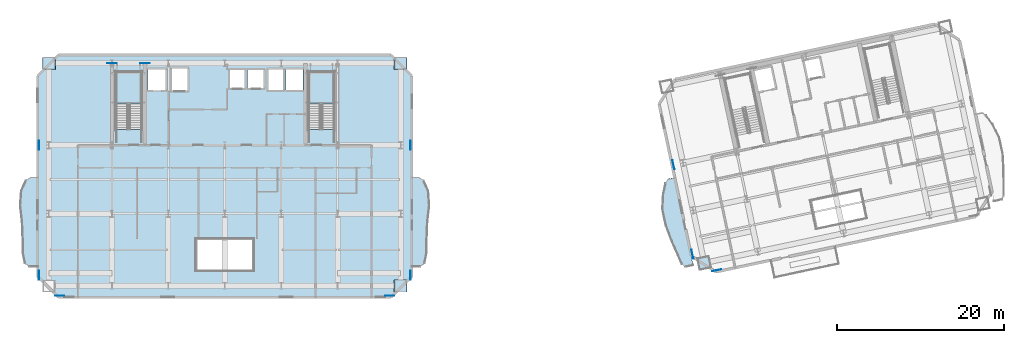
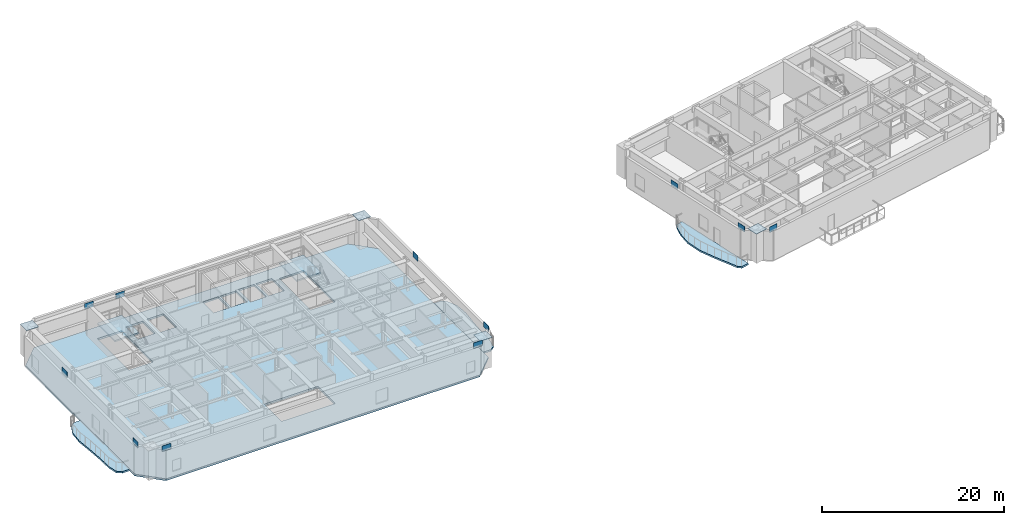
# One storey, part 5 of 15: 15 plates, 6 slabs, 2 elements without a shape of their own.
"""IFC4 building model written with IfcOpenShell, lengths in metres."""

from ifc_helpers import new_model, si_unit, direction, frame, origin, origin_2d, place, context, subcontext, project, spatial, polyline, rectangle, outline, extrude, material, layer, layer_set, type_object, element, aggregate, save


model = new_model("IFC4")

# Units and contexts
model_context = context("Model", 3, precision=1e-05, world=origin(), true_north=direction((0.0, 1.0)))
body_context = subcontext(model_context, "Body", "Model", "MODEL_VIEW")
ifc_project = project(units=[si_unit("LENGTHUNIT", "METRE"), si_unit("AREAUNIT", "SQUARE_METRE"), si_unit("VOLUMEUNIT", "CUBIC_METRE"), si_unit("PLANEANGLEUNIT", "RADIAN"), si_unit("MASSUNIT", "GRAM", prefix="KILO")], contexts=[model_context])

# Site, building, storey
site_placement = place(None, origin())
site = spatial("IfcSite", under=ifc_project, at=site_placement, CompositionType="ELEMENT")
building_placement = place(site_placement, origin())
building = spatial("IfcBuilding", under=site, at=building_placement, Name="Haevon Station Towers", CompositionType="ELEMENT")
storey_placement = place(building_placement, frame((0.0, 0.0, 129.60009765625)))
storey = spatial("IfcBuildingStorey", under=building, at=storey_placement, Name="L35", CompositionType="ELEMENT", Elevation=129.60009765625)

# Plates
ifc_material_1 = material(Name="PL-FLG1", Category="steel")
ifc_layer_1 = layer(ifc_material_1, 0.044921875)
ifc_layer_set_1 = layer_set([ifc_layer_1], Name="PL-FLG1")
plate_type_1 = type_object("IfcPlateType", Name="PL-FLG1", PredefinedType="USERDEFINED", material=ifc_layer_set_1)
for number, where, z_axis, x_axis, name in (
    (1, (16.449951171875, 48.0, 3.949951171875), (0.0, 0.0, 1.0), (1.0, 0.0, 0.0), "PL-CAP-T1-L35-01-04"),
    (2, (58.550048828125, 21.35009765625, 3.949951171875), (0.0, 0.0, 1.0), (1.0, 0.0, 0.0), "PL-CAP-T1-L35-07-01"),
    (3, (58.550048828125, 48.0, 3.949951171875), (0.0, 0.0, 1.0), (1.0, 0.0, 0.0), "PL-CAP-T1-L35-07-04"),
    (4, (94.892333984375, 24.098388671875, 3.949951171875), (0.0, 0.0, 1.0), (0.978147600734, 0.207911690818, 0.0), "PL-CAP-T2-L35-01-01"),
):
    element("IfcPlate", number, at=place(storey_placement, frame(where, z_axis=z_axis, x_axis=x_axis)), inside=storey, type_object=plate_type_1, Name=name, ObjectType="FLANGE_PLATE", PredefinedType="USERDEFINED", context=body_context, shape_type="SweptSolid", body=[
        extrude(rectangle(XDim=1.5400390625, YDim=1.43994140625, at=origin_2d()), origin(), (0.0, 0.0, 1.0), 0.0400390625),
    ])
ifc_material_2 = material(Name="PL-SPL1", Category="steel")
ifc_layer_2 = layer(ifc_material_2, 0.031982421875)
ifc_layer_set_2 = layer_set([ifc_layer_2], Name="PL-SPL1")
plate_type_2 = type_object("IfcPlateType", Name="PL-SPL1", PredefinedType="USERDEFINED", material=ifc_layer_set_2)
for number, where, z_axis, x_axis, name in (
    (5, (17.75, 20.179931640625, 3.6748046875), (0.0, 0.0, 1.0), (1.0, 0.0, 0.0), "PL-T1SPL-T04-S-3"),
    (6, (57.25, 20.179931640625, 3.6748046875), (0.0, 0.0, 1.0), (1.0, 0.0, 0.0), "PL-T1SPL-T04-S-4"),
    (7, (24.0, 48.0, 3.6748046875), (0.0, 0.0, 1.0), (1.0, 0.0, 0.0), "PL-T1SPL-T04-N-3"),
    (8, (27.949951171875, 48.0, 3.6748046875), (0.0, 0.0, 1.0), (1.0, 0.0, 0.0), "PL-T1SPL-T04-N-4"),
    (9, (15.280029296875, 22.64990234375, 3.6748046875), (0.0, 0.0, 1.0), (0.0, 1.0, 0.0), "PL-T1SPL-T04-W-3"),
    (10, (15.280029296875, 38.199951171875, 3.6748046875), (0.0, 0.0, 1.0), (0.0, 1.0, 0.0), "PL-T1SPL-T04-W-4"),
    (11, (59.719970703125, 22.64990234375, 3.6748046875), (0.0, 0.0, 1.0), (0.0, 1.0, 0.0), "PL-T1SPL-T04-E-3"),
    (12, (59.719970703125, 38.199951171875, 3.6748046875), (0.0, 0.0, 1.0), (0.0, 1.0, 0.0), "PL-T1SPL-T04-E-4"),
    (13, (96.4072265625, 23.22412109375, 3.6748046875), (0.0, 0.0, 1.0), (0.978147600734, 0.207911690818, 0.0), "PL-T2SPL-T04-S-3"),
    (14, (93.477783203125, 25.126708984375, 3.6748046875), (0.0, 0.0, 1.0), (-0.207911690818, 0.978147600734, 0.0), "PL-T2SPL-T04-W-3"),
    (15, (91.201171875, 35.83740234375, 3.6748046875), (0.0, 0.0, 1.0), (-0.207911690818, 0.978147600734, 0.0), "PL-T2SPL-T04-W-4"),
):
    element("IfcPlate", number, at=place(storey_placement, frame(where, z_axis=z_axis, x_axis=x_axis)), inside=storey, type_object=plate_type_2, Name=name, ObjectType="SPLICE_PLATE", PredefinedType="USERDEFINED", context=body_context, shape_type="SweptSolid", body=[
        extrude(rectangle(XDim=1.10009765625, YDim=0.031982421875, at=origin_2d()), origin(), (0.0, 0.0, 1.0), 0.75),
    ])

# Slabs
ifc_material_3 = material(Name="Concrete C40/50", Category="concrete")
ifc_layer_3 = layer(ifc_material_3, 0.219970703125)
ifc_layer_set_3 = layer_set([ifc_layer_3], Name="Concrete C40/50")
slab_type_1 = type_object("IfcSlabType", Name="SL-BALC220", PredefinedType="FLOOR", material=ifc_layer_set_3)
slab_1_placement = place(storey_placement, frame((0.0, 0.0, -0.22021484375)))
element("IfcSlab", 16, at=slab_1_placement, inside=storey, type_object=slab_type_1, Name="Tower 1 L35 West SCALLOPED BALCONY", PredefinedType="FLOOR", context=body_context, shape_type="SweptSolid", body=[
    extrude(outline(polyline([(15.094970703125, 34.39990234375), (14.2451171875, 34.39990234375), (13.6845703125, 33.989013671875), (13.14111328125, 32.818359375), (12.994873046875, 31.06640625), (13.17431640625, 29.0), (13.311767578125, 26.93359375), (13.351806640625, 25.181640625), (13.596435546875, 24.010986328125), (14.1376953125, 23.60009765625), (15.094970703125, 23.60009765625), (15.094970703125, 34.39990234375)])), origin(), (0.0, 0.0, 1.0), 0.22021484375),
])
slab_2_placement = place(storey_placement, frame((0.0, 0.0, -0.22021484375)))
element("IfcSlab", 17, at=slab_2_placement, inside=storey, type_object=slab_type_1, Name="Tower 1 L35 East SCALLOPED BALCONY", PredefinedType="FLOOR", context=body_context, shape_type="SweptSolid", body=[
    extrude(outline(polyline([(59.905029296875, 23.60009765625), (60.8623046875, 23.60009765625), (61.403564453125, 24.010986328125), (61.648193359375, 25.181640625), (61.688232421875, 26.93359375), (61.82568359375, 29.0), (62.005126953125, 31.06640625), (61.85888671875, 32.818359375), (61.3154296875, 33.989013671875), (60.7548828125, 34.39990234375), (59.905029296875, 34.39990234375), (59.905029296875, 23.60009765625)])), origin(), (0.0, 0.0, 1.0), 0.22021484375),
])
slab_3_placement = place(storey_placement, frame((0.0, 0.0, -0.22021484375)))
element("IfcSlab", 18, at=slab_3_placement, inside=storey, type_object=slab_type_1, Name="Tower 2 L35 West SCALLOPED BALCONY", PredefinedType="FLOOR", context=body_context, shape_type="SweptSolid", body=[
    extrude(outline(polyline([(91.33203125, 34.33154296875), (90.50048828125, 34.155029296875), (90.24609375, 33.6806640625), (89.95556640625, 32.422119140625), (89.842529296875, 30.607177734375), (90.22509765625, 28.57568359375), (91.01171875, 26.63037109375), (91.74951171875, 24.99609375), (92.234375, 23.90234375), (92.640869140625, 23.568603515625), (93.577392578125, 23.767578125), (91.33203125, 34.33154296875)])), origin(), (0.0, 0.0, 1.0), 0.22021484375),
])

# Stair, slab
stair_type = type_object("IfcStairType", Name="STR-DL1450", PredefinedType="USERDEFINED", material=ifc_material_3)
stair_1_placement = place(storey_placement, origin())
stair_1 = element("IfcStair", 19, at=stair_1_placement, inside=storey, type_object=stair_type, Name="L35 Escape Stair ST1", ObjectType="TWO_RETURN_STAIR", PredefinedType="USERDEFINED")
ifc_layer_4 = layer(ifc_material_3, 0.199951171875)
ifc_layer_set_4 = layer_set([ifc_layer_4], Name="Concrete C40/50")
slab_type_2 = type_object("IfcSlabType", Name="SL-LND200", PredefinedType="LANDING", material=ifc_layer_set_4)
slab_4_placement = place(storey_placement, frame((0.0, 0.0, 1.89990234375)))
slab_4 = element("IfcSlab", 20, at=slab_4_placement, type_object=slab_type_2, Name="L35 ST1 Half Landing 1", PredefinedType="LANDING", context=body_context, shape_type="SweptSolid", body=[
    extrude(outline(polyline([(27.580078125, 43.1240234375), (27.580078125, 47.0), (24.47998046875, 47.0), (24.47998046875, 43.1240234375), (27.580078125, 43.1240234375)])), origin(), (0.0, 0.0, 1.0), 0.199951171875),
])
aggregate(stair_1, [slab_4])

stair_2_placement = place(storey_placement, origin())
stair_2 = element("IfcStair", 21, at=stair_2_placement, inside=storey, type_object=stair_type, Name="L35 Escape Stair ST2", ObjectType="TWO_RETURN_STAIR", PredefinedType="USERDEFINED")
slab_5_placement = place(storey_placement, frame((0.0, 0.0, 1.89990234375)))
slab_5 = element("IfcSlab", 22, at=slab_5_placement, type_object=slab_type_2, Name="L35 ST2 Half Landing 1", PredefinedType="LANDING", context=body_context, shape_type="SweptSolid", body=[
    extrude(outline(polyline([(50.6201171875, 43.1240234375), (50.6201171875, 47.0), (47.52001953125, 47.0), (47.52001953125, 43.1240234375), (50.6201171875, 43.1240234375)])), origin(), (0.0, 0.0, 1.0), 0.199951171875),
])
aggregate(stair_2, [slab_5])

# Slab
ifc_layer_5 = layer(ifc_material_3, 0.25)
ifc_layer_set_5 = layer_set([ifc_layer_5], Name="Concrete C40/50")
slab_type_3 = type_object("IfcSlabType", Name="SL-TW250", PredefinedType="FLOOR", material=ifc_layer_set_5)
slab_6_placement = place(storey_placement, frame((0.0, 0.0, -0.25)))
element("IfcSlab", 23, at=slab_6_placement, inside=storey, type_object=slab_type_3, Name="SL-T1-L35", PredefinedType="FLOOR", context=body_context, shape_type="SweptSolid", body=[
    extrude(outline(polyline([(17.60009765625, 20.0), (57.39990234375, 20.0), (59.89990234375, 22.5), (59.89990234375, 46.5), (57.39990234375, 49.0), (17.60009765625, 49.0), (15.10009765625, 46.5), (15.10009765625, 22.5), (17.60009765625, 20.0)]), holes=[polyline([(27.580078125, 40.055908203125), (27.580078125, 47.0), (24.47998046875, 47.0), (24.47998046875, 40.055908203125), (27.580078125, 40.055908203125)]), polyline([(50.6201171875, 40.055908203125), (50.6201171875, 47.0), (47.52001953125, 47.0), (47.52001953125, 40.055908203125), (50.6201171875, 40.055908203125)]), polyline([(28.300048828125, 44.699951171875), (30.5, 44.699951171875), (30.5, 47.39990234375), (28.300048828125, 47.39990234375), (28.300048828125, 44.699951171875)]), polyline([(31.050048828125, 44.60009765625), (33.14990234375, 44.60009765625), (33.14990234375, 47.5), (31.050048828125, 47.5), (31.050048828125, 44.60009765625)]), polyline([(38.0, 44.89990234375), (40.0, 44.89990234375), (40.0, 47.300048828125), (38.0, 47.300048828125), (38.0, 44.89990234375)]), polyline([(40.25, 44.89990234375), (42.25, 44.89990234375), (42.25, 47.300048828125), (40.25, 47.300048828125), (40.25, 44.89990234375)]), polyline([(42.60009765625, 44.699951171875), (44.60009765625, 44.699951171875), (44.60009765625, 47.39990234375), (42.60009765625, 47.39990234375), (42.60009765625, 44.699951171875)]), polyline([(44.85009765625, 44.699951171875), (46.85009765625, 44.699951171875), (46.85009765625, 47.39990234375), (44.85009765625, 47.39990234375), (44.85009765625, 44.699951171875)]), polyline([(34.10009765625, 23.199951171875), (40.89990234375, 23.199951171875), (40.89990234375, 27.0), (34.10009765625, 27.0), (34.10009765625, 23.199951171875)])]), origin(), (0.0, 0.0, 1.0), 0.25),
])

save(model, "model.ifc")
